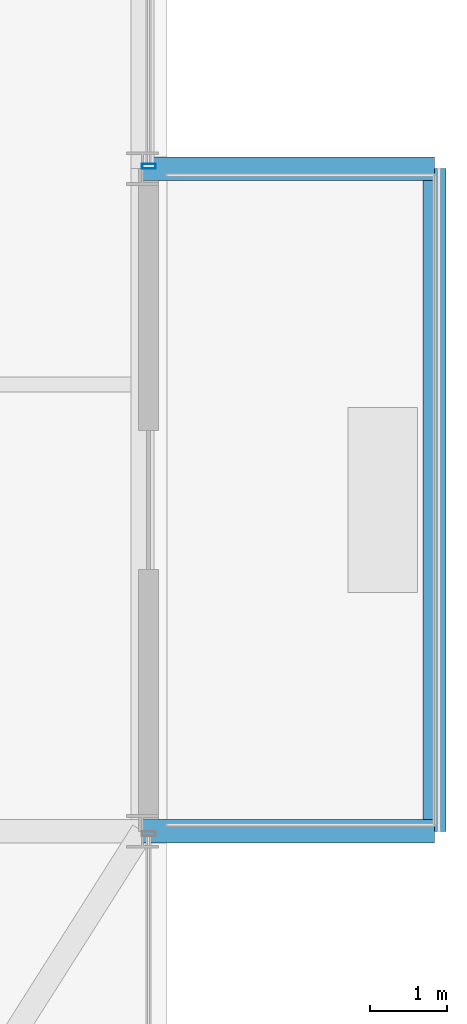
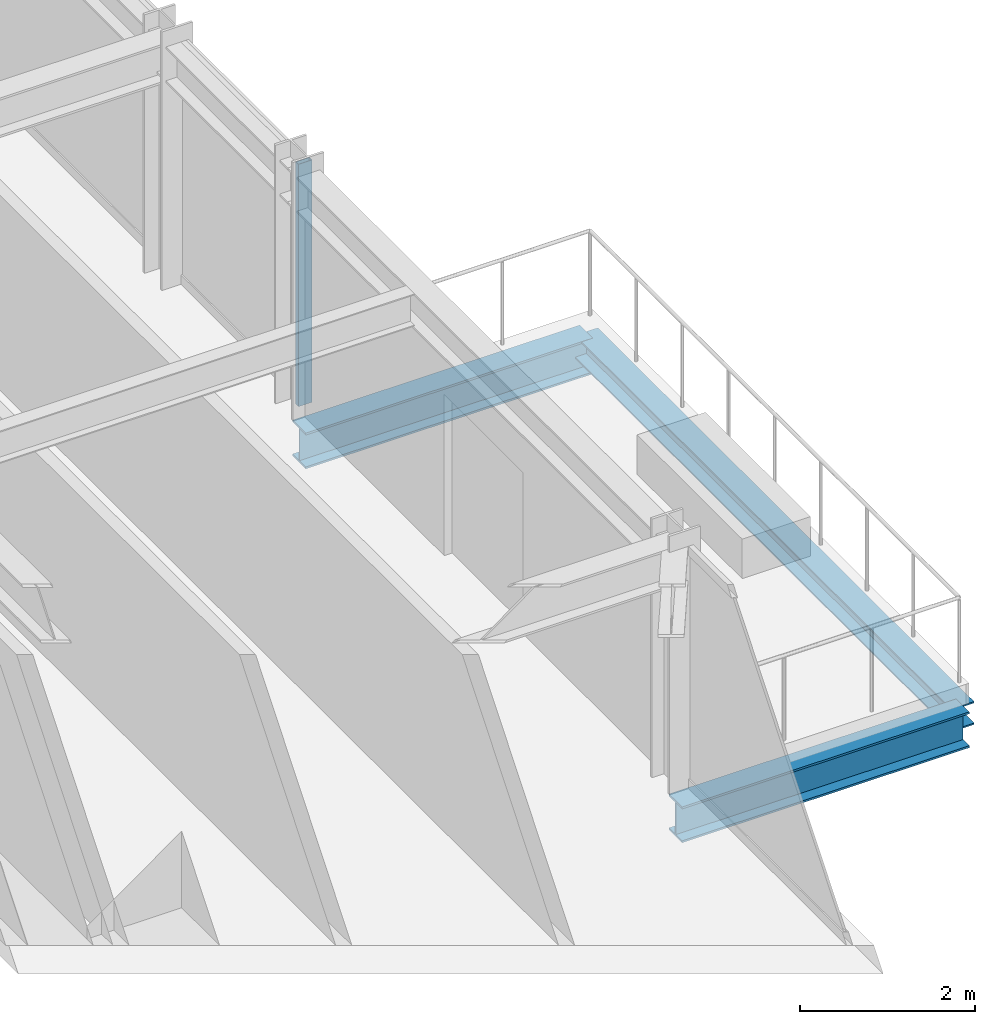
# One storey, part 13 of 41: 3 beams, 1 member, 1 element without a shape of its own.
"""IFC4 building model written with IfcOpenShell, lengths in metres."""

from ifc_helpers import new_model, si_unit, direction, frame, origin, origin_2d, place, context, subcontext, project, spatial, hollow_rectangle, i_section, extrude, source, transform, mapped, material, material_profile, profile_set, type_object, element, aggregate, save


model = new_model("IFC4")

# Units and contexts
model_context = context("Model", 3, precision=1e-05, world=origin(), true_north=direction((0.0, 1.0)))
body_context = subcontext(model_context, "Body", "Model", "MODEL_VIEW")
ifc_project = project(units=[si_unit("LENGTHUNIT", "METRE"), si_unit("AREAUNIT", "SQUARE_METRE"), si_unit("VOLUMEUNIT", "CUBIC_METRE"), si_unit("PLANEANGLEUNIT", "RADIAN"), si_unit("MASSUNIT", "GRAM", prefix="KILO")], contexts=[model_context])

# Site, building, storey
site_placement = place(None, origin())
site = spatial("IfcSite", under=ifc_project, at=site_placement, CompositionType="ELEMENT")
building_placement = place(site_placement, origin())
building = spatial("IfcBuilding", under=site, at=building_placement, Name="Nahalor Promenade Grand Hotel", CompositionType="ELEMENT")
storey_placement = place(building_placement, frame((0.0, 0.0, 113.85009765625)))
storey = spatial("IfcBuildingStorey", under=building, at=storey_placement, Name="L28", CompositionType="ELEMENT", Elevation=113.85009765625)

# Beams
ifc_material_1 = material(Name="Steel S355JR", Category="steel")
ifc_material_profile_1 = material_profile(ifc_material_1, i_section(OverallWidth=0.3, OverallDepth=0.32, WebThickness=0.0115, FlangeThickness=0.0205, at=origin_2d()), Name="HEB 320")
ifc_profile_set_1 = profile_set([ifc_material_profile_1], Name="Steel S355JR")
beam_type_1 = type_object("IfcBeamType", Name="Beam-BalcEdge-HEB320", PredefinedType="SPANDREL", material=ifc_profile_set_1)
shared_shape_1 = source(origin(), body_context, "Body", "SweptSolid", [
    extrude(i_section(OverallWidth=0.3, OverallDepth=0.32, WebThickness=0.0115, FlangeThickness=0.0205, at=origin_2d()), origin(), (0.0, 0.0, 1.0), 8.60009765625),
])
beam_placement = place(storey_placement, frame((27.570068359375, -17.0, -0.440185546875), z_axis=(0.0, 1.0, 0.0), x_axis=(-1.0, 0.0, 0.0)))
element("IfcBeam", 1, at=beam_placement, inside=storey, type_object=beam_type_1, Name="BM-L28-BC-02-F", PredefinedType="SPANDREL", context=body_context, shape_type="MappedRepresentation", body=[
    mapped(shared_shape_1, transform((0.0, 0.0, 0.0), scale=1.0)),
])
ifc_material_profile_2 = material_profile(ifc_material_1, i_section(OverallWidth=0.3, OverallDepth=0.5, WebThickness=0.0145, FlangeThickness=0.028, at=origin_2d()), Name="HEB 500")
ifc_profile_set_2 = profile_set([ifc_material_profile_2], Name="Steel S355JR")
beam_type_2 = type_object("IfcBeamType", Name="Beam-Outrigger-HEB500", PredefinedType="BEAM", material=ifc_profile_set_2)
shared_shape_2 = source(origin(), body_context, "Body", "SweptSolid", [
    extrude(i_section(OverallWidth=0.3, OverallDepth=0.5, WebThickness=0.0145, FlangeThickness=0.028, at=origin_2d()), origin(), (0.0, 0.0, 1.0), 3.7900390625),
])
for number, where, z_axis, x_axis, name in (
    (2, (23.780029296875, -17.0, -0.530029296875), (1.0, 0.0, 0.0), (0.0, 1.0, 0.0), "BM-L28-BC-02-1"),
    (3, (23.780029296875, -8.39990234375, -0.530029296875), (1.0, 0.0, 0.0), (0.0, 1.0, 0.0), "BM-L28-BC-02-2"),
):
    element("IfcBeam", number, at=place(storey_placement, frame(where, z_axis=z_axis, x_axis=x_axis)), inside=storey, type_object=beam_type_2, Name=name, PredefinedType="BEAM", context=body_context, shape_type="MappedRepresentation", body=[
        mapped(shared_shape_2, transform((0.0, 0.0, 0.0), scale=1.0)),
    ])

# Curtain wall, member
ifc_material_2 = material(Name="Anodised Bronze Aluminium EN AW-6063 T6", Category="aluminium")
curtain_wall_type = type_object("IfcCurtainWallType", Name="CW2 Typical Hotel Flush Bronze Unitised Curtain Wall", PredefinedType="USERDEFINED", material=ifc_material_2)
curtain_wall_placement = place(storey_placement, origin())
curtain_wall = element("IfcCurtainWall", 4, at=curtain_wall_placement, inside=storey, type_object=curtain_wall_type, Name="L28 Curtain Wall CW-L28-E-3", ObjectType="UNITISED_CURTAIN_WALL", PredefinedType="USERDEFINED")
ifc_material_profile_3 = material_profile(ifc_material_2, hollow_rectangle(XDim=0.065, YDim=0.18, WallThickness=0.004, at=origin_2d()), Name="CWM 65x180x4")
ifc_profile_set_3 = profile_set([ifc_material_profile_3], Name="Anodised Bronze Aluminium EN AW-6063 T6")
member_type = type_object("IfcMemberType", Name="CWM2 Typical Bronze Mullion 65x180", PredefinedType="MULLION", material=ifc_profile_set_3)
shared_shape_3 = source(origin(), body_context, "Body", "SweptSolid", [
    extrude(hollow_rectangle(XDim=0.065, YDim=0.18, WallThickness=0.004, at=origin_2d()), origin(), (0.0, 0.0, 1.0), 3.3798828125),
])
member_placement = place(storey_placement, frame((23.860107421875, -8.367431640625, 0.0), z_axis=(0.0, 0.0, 1.0), x_axis=(0.0, 1.0, 0.0)))
member = element("IfcMember", 5, at=member_placement, type_object=member_type, Name="CW-L28-E-3 Mullion 0", PredefinedType="MULLION", context=body_context, shape_type="MappedRepresentation", body=[
    mapped(shared_shape_3, transform((0.0, 0.0, 0.0), scale=1.0)),
])
aggregate(curtain_wall, [member])

save(model, "model.ifc")
